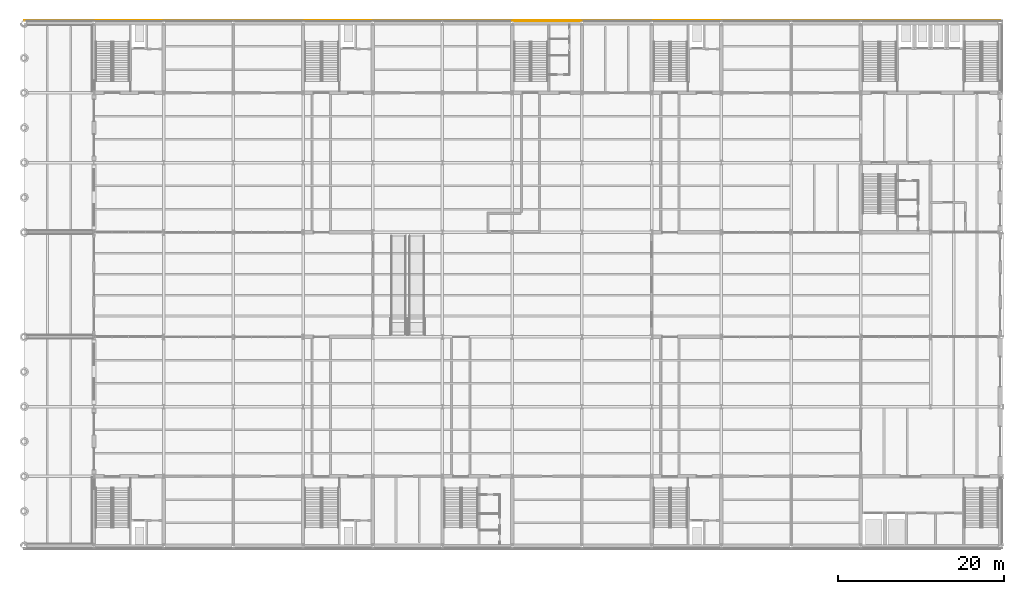
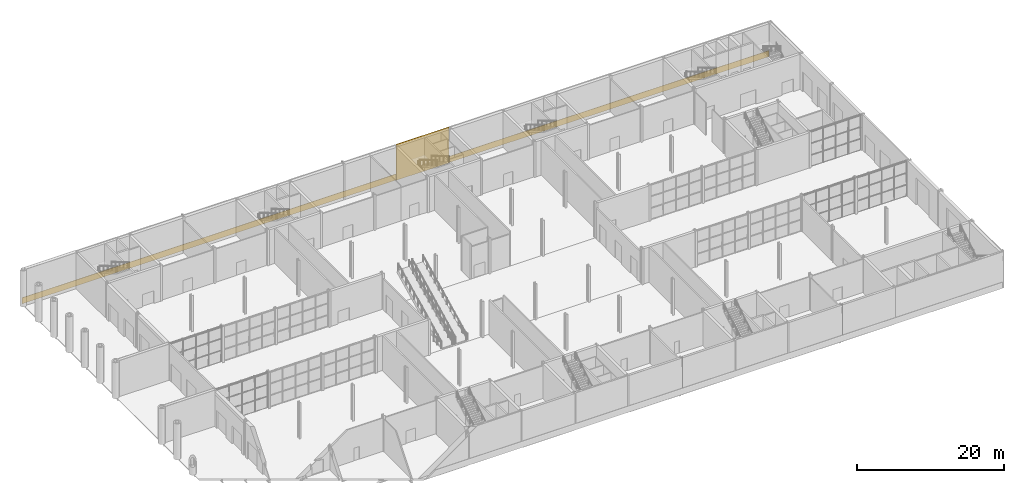
# One storey, part 48 of 55: 2 coverings.
"""IFC4 building model written with IfcOpenShell, lengths in metres."""

from ifc_helpers import new_model, si_unit, direction, frame, origin, origin_2d, place, context, subcontext, project, spatial, polyline, rectangle, outline, extrude, material, layer, layer_set, type_object, element, save


model = new_model("IFC4")

# Units and contexts
model_context = context("Model", 3, precision=1e-05, world=origin(), true_north=direction((0.0, 1.0)))
body_context = subcontext(model_context, "Body", "Model", "MODEL_VIEW")
ifc_project = project(units=[si_unit("LENGTHUNIT", "METRE"), si_unit("AREAUNIT", "SQUARE_METRE"), si_unit("VOLUMEUNIT", "CUBIC_METRE"), si_unit("PLANEANGLEUNIT", "RADIAN"), si_unit("MASSUNIT", "GRAM", prefix="KILO")], contexts=[model_context])

# Site, building, storey
site_placement = place(None, origin())
site = spatial("IfcSite", under=ifc_project, at=site_placement, CompositionType="ELEMENT")
building_placement = place(site_placement, origin())
building = spatial("IfcBuilding", under=site, at=building_placement, Name="Galleria Vessillo Department Store", CompositionType="ELEMENT")
storey_placement = place(building_placement, origin())
storey = spatial("IfcBuildingStorey", under=building, at=storey_placement, Name="L00", CompositionType="ELEMENT", Elevation=0.0)

# Coverings
ifc_material_1 = material(Name="Lime plaster (intonaco) ochre")
ifc_layer_1 = layer(ifc_material_1, 0.030029296875)
ifc_layer_set_1 = layer_set([ifc_layer_1], Name="Lime plaster (intonaco) ochre")
covering_type_1 = type_object("IfcCoveringType", Name="Lime plaster render 30 mm", PredefinedType="CLADDING", material=ifc_layer_set_1)
covering_1_placement = place(storey_placement, frame((63.0, 63.215087890625, 0.0), z_axis=(0.0, 0.0, 1.0), x_axis=(1.0, 0.0, 0.0)))
element("IfcCovering", 1, at=covering_1_placement, inside=storey, type_object=covering_type_1, Name="Wall cladding S-CW-PC-NC-PARTY-L00", PredefinedType="CLADDING", context=body_context, shape_type="SweptSolid", body=[
    extrude(rectangle(XDim=8.33984375, YDim=0.030029296875, at=origin_2d()), origin(), (0.0, 0.0, 1.0), 6.0),
])
ifc_material_2 = material(Name="Botticino limestone ashlar", Category="masonry")
ifc_layer_2 = layer(ifc_material_2, 0.10009765625)
ifc_layer_set_2 = layer_set([ifc_layer_2], Name="Botticino limestone ashlar")
covering_type_2 = type_object("IfcCoveringType", Name="Limestone flank plinth 1000 x 100", PredefinedType="MOLDING", material=ifc_layer_set_2)
covering_2_placement = place(storey_placement, frame((0.0, 63.0, 0.0), z_axis=(1.0, 0.0, 0.0), x_axis=(0.0, 1.0, 0.0)))
element("IfcCovering", 2, at=covering_2_placement, inside=storey, type_object=covering_type_2, Name="Flank plinth N", PredefinedType="MOLDING", context=body_context, shape_type="SweptSolid", body=[
    extrude(outline(polyline([(0.280029296875, 0.0), (0.3798828125, 0.0), (0.3798828125, 0.85009765625), (0.340087890625, 1.0), (0.280029296875, 1.0), (0.280029296875, 0.0)])), origin(), (0.0, 0.0, 1.0), 117.60009765625),
])

save(model, "model.ifc")
